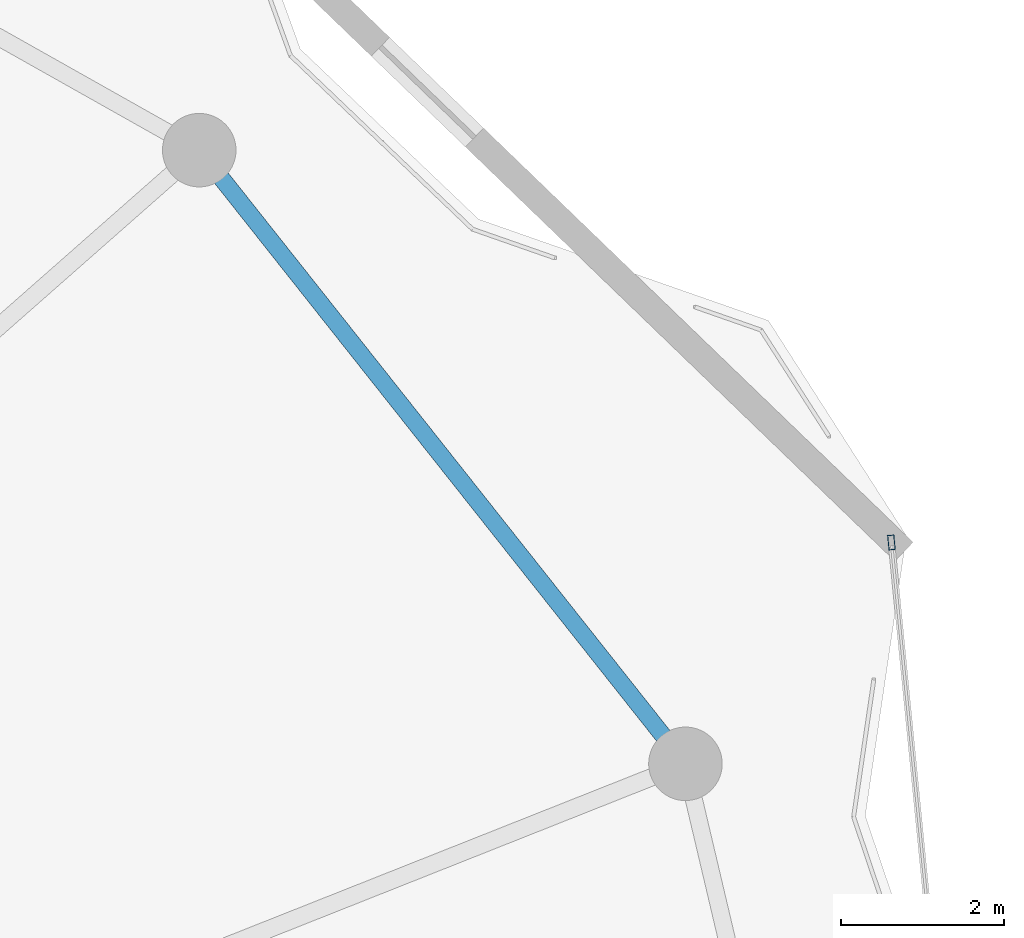
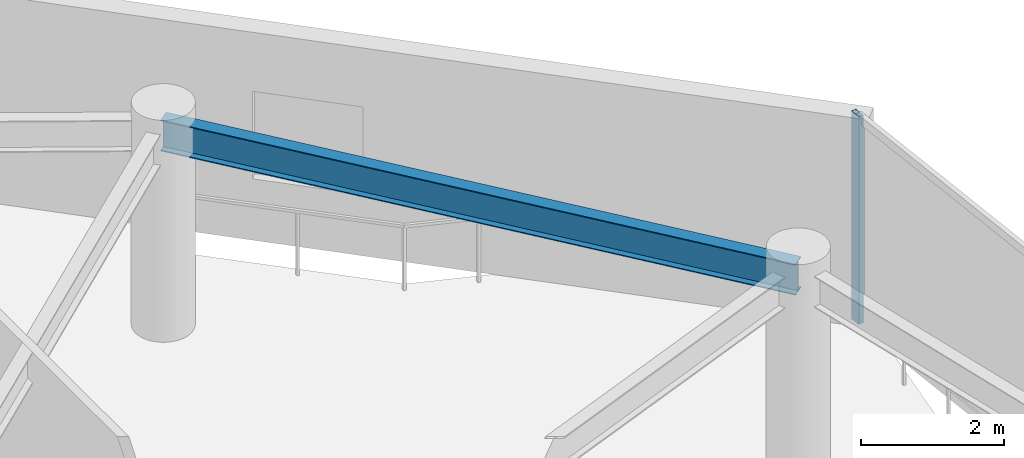
# One storey, part 23 of 30: 1 beam, 1 member, 1 element without a shape of its own.
"""IFC4 building model written with IfcOpenShell, lengths in metres."""

from ifc_helpers import new_model, si_unit, direction, frame, origin, origin_2d, place, context, subcontext, project, spatial, hollow_rectangle, i_section, extrude, material, layer, layer_set, material_profile, profile_set, type_object, element, aggregate, save


model = new_model("IFC4")

# Units and contexts
model_context = context("Model", 3, precision=1e-05, world=origin(), true_north=direction((0.0, 1.0)))
body_context = subcontext(model_context, "Body", "Model", "MODEL_VIEW")
ifc_project = project(units=[si_unit("LENGTHUNIT", "METRE"), si_unit("AREAUNIT", "SQUARE_METRE"), si_unit("VOLUMEUNIT", "CUBIC_METRE"), si_unit("PLANEANGLEUNIT", "RADIAN"), si_unit("MASSUNIT", "GRAM", prefix="KILO")], contexts=[model_context])

# Site, building, storey
site_placement = place(None, origin())
site = spatial("IfcSite", under=ifc_project, at=site_placement, CompositionType="ELEMENT")
building_placement = place(site_placement, origin())
building = spatial("IfcBuilding", under=site, at=building_placement, Name="Kazevale Care Tower and Concert Hall", CompositionType="ELEMENT")
storey_placement = place(building_placement, frame((0.0, 0.0, 258.60009765625)))
storey = spatial("IfcBuildingStorey", under=building, at=storey_placement, Name="L68", CompositionType="ELEMENT", Elevation=258.60009765625)

# Curtain wall, member
ifc_material_1 = material(Name="Aluminium 6063-T6 and Low-E Glass", Category="aluminium")
ifc_layer = layer(ifc_material_1, 0.179931640625)
ifc_layer_set = layer_set([ifc_layer], Name="Aluminium 6063-T6 and Low-E Glass")
curtain_wall_type = type_object("IfcCurtainWallType", Name="Waist & Upper Residential Curtain Wall CW-4", PredefinedType="NOTDEFINED", material=ifc_layer_set)
curtain_wall_placement = place(storey_placement, origin())
curtain_wall = element("IfcCurtainWall", 1, at=curtain_wall_placement, inside=storey, type_object=curtain_wall_type, Name="cw:L68:f18", PredefinedType="NOTDEFINED")
ifc_material_2 = material(Name="Aluminium 6063-T6", Category="aluminium")
ifc_material_profile_1 = material_profile(ifc_material_2, hollow_rectangle(XDim=0.080078125, YDim=0.179931640625, WallThickness=0.0048828125, at=origin_2d()), Name="ALU80x180x5")
ifc_profile_set_1 = profile_set([ifc_material_profile_1], Name="Aluminium 6063-T6")
member_type = type_object("IfcMemberType", Name="CW-4 Mullion ALU80x180x5", PredefinedType="MULLION", material=ifc_profile_set_1)
member_placement = place(storey_placement, frame((72.880859375, 49.569091796875, 0.0), z_axis=(0.0, 0.0, 1.0), x_axis=(0.995187959773, 0.097984308555, 0.0)))
member = element("IfcMember", 2, at=member_placement, type_object=member_type, Name="CW-4 mullion 1", PredefinedType="MULLION", context=body_context, shape_type="SweptSolid", body=[
    extrude(hollow_rectangle(XDim=0.080078125, YDim=0.179931640625, WallThickness=0.0048828125, at=origin_2d()), origin(), (0.0, 0.0, 1.0), 3.559814453125),
])
aggregate(curtain_wall, [member])

# Beam
ifc_material_3 = material(Name="Steel ASTM A572 Gr 50", Category="steel")
ifc_material_profile_2 = material_profile(ifc_material_3, i_section(OverallWidth=0.208984375, OverallDepth=0.532958984375, WebThickness=0.01025390625, FlangeThickness=0.015625, at=origin_2d()), Name="W530x92")
ifc_profile_set_2 = profile_set([ifc_material_profile_2], Name="Steel ASTM A572 Gr 50")
beam_type = type_object("IfcBeamType", Name="Upper Ring Beam W530x92", PredefinedType="BEAM", material=ifc_profile_set_2)
beam_placement = place(storey_placement, frame((70.360107421875, 46.860107421875, 3.29345703125), z_axis=(-0.621008988522, 0.783803442308, 0.0), x_axis=(-0.783803442308, -0.621008988522, 0.0)))
element("IfcBeam", 3, at=beam_placement, inside=storey, type_object=beam_type, Name="beam:L68:ring:02", PredefinedType="BEAM", context=body_context, shape_type="SweptSolid", body=[
    extrude(i_section(OverallWidth=0.208984375, OverallDepth=0.532958984375, WebThickness=0.01025390625, FlangeThickness=0.015625, at=origin_2d()), origin(), (0.0, 0.0, 1.0), 9.58154296875),
])

save(model, "model.ifc")
